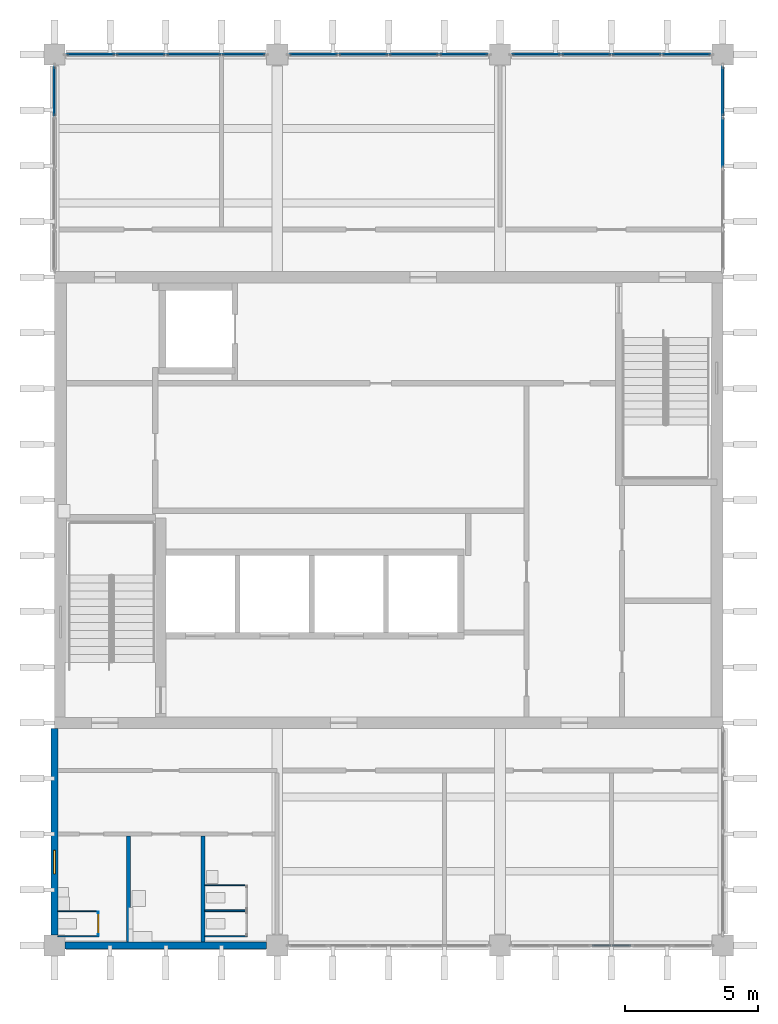
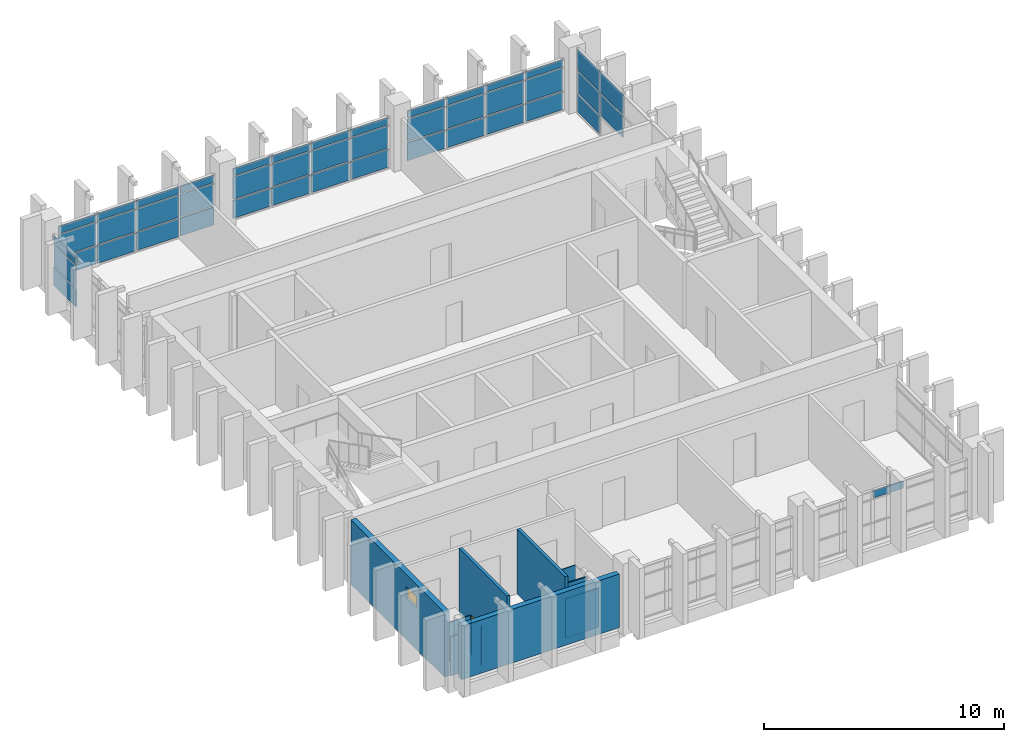
# One storey, part 6 of 11: 46 plates, 11 walls, 1 door, 1 window, 2 openings, 6 elements without a shape of their own.
"""IFC4 building model written with IfcOpenShell, lengths in metres."""

from ifc_helpers import new_model, si_unit, direction, frame, frame_2d, origin, origin_2d, place, context, subcontext, project, spatial, rectangle, extrude, material, layer, layer_set, type_object, element, fill, aggregate, save


model = new_model("IFC4")

# Units and contexts
model_context = context("Model", 3, precision=1e-05, world=origin(), true_north=direction((0.0, 1.0)))
body_context = subcontext(model_context, "Body", "Model", "MODEL_VIEW")
ifc_project = project(units=[si_unit("LENGTHUNIT", "METRE"), si_unit("AREAUNIT", "SQUARE_METRE"), si_unit("VOLUMEUNIT", "CUBIC_METRE"), si_unit("PLANEANGLEUNIT", "RADIAN"), si_unit("MASSUNIT", "GRAM", prefix="KILO")], contexts=[model_context])

# Site, building, storey
site_placement = place(None, origin())
site = spatial("IfcSite", under=ifc_project, at=site_placement, CompositionType="ELEMENT")
building_placement = place(site_placement, origin())
building = spatial("IfcBuilding", under=site, at=building_placement, Name="Rulbaag Community and Learning Centre", CompositionType="ELEMENT")
storey_placement = place(building_placement, frame((0.0, 0.0, 36.0)))
storey = spatial("IfcBuildingStorey", under=building, at=storey_placement, Name="L09", CompositionType="ELEMENT", Elevation=36.0)

# Curtain wall, plates
ifc_material_1 = material(Name="Aluminium", Category="aluminium")
ifc_layer_1 = layer(ifc_material_1, 0.14990234375)
ifc_layer_set_1 = layer_set([ifc_layer_1], Name="CW-S")
curtain_wall_type_1 = type_object("IfcCurtainWallType", Name="CW-S", PredefinedType="USERDEFINED", material=ifc_layer_set_1)
curtain_wall_1_placement = place(storey_placement, origin())
curtain_wall_1 = element("IfcCurtainWall", 1, at=curtain_wall_1_placement, inside=storey, type_object=curtain_wall_type_1, Name="GS-L09-02", ObjectType="UNITISED CURTAIN WALL", PredefinedType="USERDEFINED")
ifc_layer_2 = layer(ifc_material_1, 0.054931640625)
ifc_layer_set_2 = layer_set([ifc_layer_2], Name="CW-S-SPN")
plate_type_1 = type_object("IfcPlateType", Name="CW-S-SPN", PredefinedType="CURTAIN_PANEL", material=ifc_layer_set_2)
plate_1_placement = place(storey_placement, frame((163.419921875, 84.0, 2.22998046875), z_axis=(0.0, 0.0, 1.0), x_axis=(1.0, 0.0, 0.0)))
plate_1 = element("IfcPlate", 2, at=plate_1_placement, type_object=plate_type_1, Name="GS spandrel panel", PredefinedType="CURTAIN_PANEL", context=body_context, shape_type="SweptSolid", body=[
    extrude(rectangle(XDim=0.699951171875, YDim=0.054931640625, at=origin_2d()), origin(), (0.0, 0.0, 1.0), 0.360107421875),
])
plate_2_placement = place(storey_placement, frame((164.179931640625, 84.0, 2.22998046875), z_axis=(0.0, 0.0, 1.0), x_axis=(1.0, 0.0, 0.0)))
plate_2 = element("IfcPlate", 3, at=plate_2_placement, type_object=plate_type_1, Name="GS spandrel panel", PredefinedType="CURTAIN_PANEL", context=body_context, shape_type="SweptSolid", body=[
    extrude(rectangle(XDim=0.699951171875, YDim=0.054931640625, at=origin_2d()), origin(), (0.0, 0.0, 1.0), 0.360107421875),
])
aggregate(curtain_wall_1, [plate_1, plate_2])

ifc_layer_3 = layer(ifc_material_1, 0.14990234375)
ifc_layer_set_3 = layer_set([ifc_layer_3], Name="CW-T")
curtain_wall_type_2 = type_object("IfcCurtainWallType", Name="CW-T", PredefinedType="USERDEFINED", material=ifc_layer_set_3)
curtain_wall_2_placement = place(storey_placement, origin())
curtain_wall_2 = element("IfcCurtainWall", 4, at=curtain_wall_2_placement, inside=storey, type_object=curtain_wall_type_2, Name="GT-L09-01", ObjectType="UNITISED CURTAIN WALL", PredefinedType="USERDEFINED")
ifc_layer_4 = layer(ifc_material_1, 0.06005859375)
ifc_layer_set_4 = layer_set([ifc_layer_4], Name="CW-T-SPN")
plate_type_2 = type_object("IfcPlateType", Name="CW-T-SPN", PredefinedType="CURTAIN_PANEL", material=ifc_layer_set_4)
plate_3_placement = place(storey_placement, frame((144.166259765625, 117.60009765625, 0.06494140625), z_axis=(0.0, 0.0, 1.0), x_axis=(1.0, 0.0, 0.0)))
plate_3 = element("IfcPlate", 5, at=plate_3_placement, type_object=plate_type_2, Name="GT spandrel panel", PredefinedType="CURTAIN_PANEL", context=body_context, shape_type="SweptSolid", body=[
    extrude(rectangle(XDim=1.802490234375, YDim=0.06005859375, at=origin_2d()), origin(), (0.0, 0.0, 1.0), 0.902587890625),
])
plate_4_placement = place(storey_placement, frame((144.166259765625, 117.60009765625, 2.232421875), z_axis=(0.0, 0.0, 1.0), x_axis=(1.0, 0.0, 0.0)))
plate_4 = element("IfcPlate", 6, at=plate_4_placement, type_object=plate_type_2, Name="GT spandrel panel", PredefinedType="CURTAIN_PANEL", context=body_context, shape_type="SweptSolid", body=[
    extrude(rectangle(XDim=1.802490234375, YDim=0.06005859375, at=origin_2d()), origin(), (0.0, 0.0, 1.0), 0.3525390625),
])
plate_5_placement = place(storey_placement, frame((146.050048828125, 117.60009765625, 0.06494140625), z_axis=(0.0, 0.0, 1.0), x_axis=(1.0, 0.0, 0.0)))
plate_5 = element("IfcPlate", 7, at=plate_5_placement, type_object=plate_type_2, Name="GT spandrel panel", PredefinedType="CURTAIN_PANEL", context=body_context, shape_type="SweptSolid", body=[
    extrude(rectangle(XDim=1.8349609375, YDim=0.06005859375, at=origin_2d()), origin(), (0.0, 0.0, 1.0), 0.902587890625),
])
plate_6_placement = place(storey_placement, frame((146.050048828125, 117.60009765625, 2.232421875), z_axis=(0.0, 0.0, 1.0), x_axis=(1.0, 0.0, 0.0)))
plate_6 = element("IfcPlate", 8, at=plate_6_placement, type_object=plate_type_2, Name="GT spandrel panel", PredefinedType="CURTAIN_PANEL", context=body_context, shape_type="SweptSolid", body=[
    extrude(rectangle(XDim=1.8349609375, YDim=0.06005859375, at=origin_2d()), origin(), (0.0, 0.0, 1.0), 0.3525390625),
])
plate_7_placement = place(storey_placement, frame((148.050048828125, 117.60009765625, 0.06494140625), z_axis=(0.0, 0.0, 1.0), x_axis=(1.0, 0.0, 0.0)))
plate_7 = element("IfcPlate", 9, at=plate_7_placement, type_object=plate_type_2, Name="GT spandrel panel", PredefinedType="CURTAIN_PANEL", context=body_context, shape_type="SweptSolid", body=[
    extrude(rectangle(XDim=2.034912109375, YDim=0.06005859375, at=origin_2d()), origin(), (0.0, 0.0, 1.0), 0.902587890625),
])
plate_8_placement = place(storey_placement, frame((148.050048828125, 117.60009765625, 2.232421875), z_axis=(0.0, 0.0, 1.0), x_axis=(1.0, 0.0, 0.0)))
plate_8 = element("IfcPlate", 10, at=plate_8_placement, type_object=plate_type_2, Name="GT spandrel panel", PredefinedType="CURTAIN_PANEL", context=body_context, shape_type="SweptSolid", body=[
    extrude(rectangle(XDim=2.034912109375, YDim=0.06005859375, at=origin_2d()), origin(), (0.0, 0.0, 1.0), 0.3525390625),
])
plate_9_placement = place(storey_placement, frame((149.933837890625, 117.60009765625, 0.06494140625), z_axis=(0.0, 0.0, 1.0), x_axis=(1.0, 0.0, 0.0)))
plate_9 = element("IfcPlate", 11, at=plate_9_placement, type_object=plate_type_2, Name="GT spandrel panel", PredefinedType="CURTAIN_PANEL", context=body_context, shape_type="SweptSolid", body=[
    extrude(rectangle(XDim=1.6025390625, YDim=0.06005859375, at=origin_2d()), origin(), (0.0, 0.0, 1.0), 0.902587890625),
])
plate_10_placement = place(storey_placement, frame((149.933837890625, 117.60009765625, 2.232421875), z_axis=(0.0, 0.0, 1.0), x_axis=(1.0, 0.0, 0.0)))
plate_10 = element("IfcPlate", 12, at=plate_10_placement, type_object=plate_type_2, Name="GT spandrel panel", PredefinedType="CURTAIN_PANEL", context=body_context, shape_type="SweptSolid", body=[
    extrude(rectangle(XDim=1.6025390625, YDim=0.06005859375, at=origin_2d()), origin(), (0.0, 0.0, 1.0), 0.3525390625),
])

curtain_wall_3_placement = place(storey_placement, origin())
curtain_wall_3 = element("IfcCurtainWall", 13, at=curtain_wall_3_placement, inside=storey, type_object=curtain_wall_type_2, Name="GT-L09-02", ObjectType="UNITISED CURTAIN WALL", PredefinedType="USERDEFINED")
plate_11_placement = place(storey_placement, frame((152.566162109375, 117.60009765625, 0.06494140625), z_axis=(0.0, 0.0, 1.0), x_axis=(1.0, 0.0, 0.0)))
plate_11 = element("IfcPlate", 14, at=plate_11_placement, type_object=plate_type_2, Name="GT spandrel panel", PredefinedType="CURTAIN_PANEL", context=body_context, shape_type="SweptSolid", body=[
    extrude(rectangle(XDim=1.802490234375, YDim=0.06005859375, at=origin_2d()), origin(), (0.0, 0.0, 1.0), 0.902587890625),
])
plate_12_placement = place(storey_placement, frame((152.566162109375, 117.60009765625, 2.232421875), z_axis=(0.0, 0.0, 1.0), x_axis=(1.0, 0.0, 0.0)))
plate_12 = element("IfcPlate", 15, at=plate_12_placement, type_object=plate_type_2, Name="GT spandrel panel", PredefinedType="CURTAIN_PANEL", context=body_context, shape_type="SweptSolid", body=[
    extrude(rectangle(XDim=1.802490234375, YDim=0.06005859375, at=origin_2d()), origin(), (0.0, 0.0, 1.0), 0.3525390625),
])
plate_13_placement = place(storey_placement, frame((154.449951171875, 117.60009765625, 0.06494140625), z_axis=(0.0, 0.0, 1.0), x_axis=(1.0, 0.0, 0.0)))
plate_13 = element("IfcPlate", 16, at=plate_13_placement, type_object=plate_type_2, Name="GT spandrel panel", PredefinedType="CURTAIN_PANEL", context=body_context, shape_type="SweptSolid", body=[
    extrude(rectangle(XDim=1.8349609375, YDim=0.06005859375, at=origin_2d()), origin(), (0.0, 0.0, 1.0), 0.902587890625),
])
plate_14_placement = place(storey_placement, frame((154.449951171875, 117.60009765625, 2.232421875), z_axis=(0.0, 0.0, 1.0), x_axis=(1.0, 0.0, 0.0)))
plate_14 = element("IfcPlate", 17, at=plate_14_placement, type_object=plate_type_2, Name="GT spandrel panel", PredefinedType="CURTAIN_PANEL", context=body_context, shape_type="SweptSolid", body=[
    extrude(rectangle(XDim=1.8349609375, YDim=0.06005859375, at=origin_2d()), origin(), (0.0, 0.0, 1.0), 0.3525390625),
])
plate_15_placement = place(storey_placement, frame((156.35009765625, 117.60009765625, 0.06494140625), z_axis=(0.0, 0.0, 1.0), x_axis=(1.0, 0.0, 0.0)))
plate_15 = element("IfcPlate", 18, at=plate_15_placement, type_object=plate_type_2, Name="GT spandrel panel", PredefinedType="CURTAIN_PANEL", context=body_context, shape_type="SweptSolid", body=[
    extrude(rectangle(XDim=1.8349609375, YDim=0.06005859375, at=origin_2d()), origin(), (0.0, 0.0, 1.0), 0.902587890625),
])
plate_16_placement = place(storey_placement, frame((156.35009765625, 117.60009765625, 2.232421875), z_axis=(0.0, 0.0, 1.0), x_axis=(1.0, 0.0, 0.0)))
plate_16 = element("IfcPlate", 19, at=plate_16_placement, type_object=plate_type_2, Name="GT spandrel panel", PredefinedType="CURTAIN_PANEL", context=body_context, shape_type="SweptSolid", body=[
    extrude(rectangle(XDim=1.8349609375, YDim=0.06005859375, at=origin_2d()), origin(), (0.0, 0.0, 1.0), 0.3525390625),
])
plate_17_placement = place(storey_placement, frame((158.233642578125, 117.60009765625, 0.06494140625), z_axis=(0.0, 0.0, 1.0), x_axis=(1.0, 0.0, 0.0)))
plate_17 = element("IfcPlate", 20, at=plate_17_placement, type_object=plate_type_2, Name="GT spandrel panel", PredefinedType="CURTAIN_PANEL", context=body_context, shape_type="SweptSolid", body=[
    extrude(rectangle(XDim=1.802490234375, YDim=0.06005859375, at=origin_2d()), origin(), (0.0, 0.0, 1.0), 0.902587890625),
])
plate_18_placement = place(storey_placement, frame((158.233642578125, 117.60009765625, 2.232421875), z_axis=(0.0, 0.0, 1.0), x_axis=(1.0, 0.0, 0.0)))
plate_18 = element("IfcPlate", 21, at=plate_18_placement, type_object=plate_type_2, Name="GT spandrel panel", PredefinedType="CURTAIN_PANEL", context=body_context, shape_type="SweptSolid", body=[
    extrude(rectangle(XDim=1.802490234375, YDim=0.06005859375, at=origin_2d()), origin(), (0.0, 0.0, 1.0), 0.3525390625),
])

curtain_wall_4_placement = place(storey_placement, origin())
curtain_wall_4 = element("IfcCurtainWall", 22, at=curtain_wall_4_placement, inside=storey, type_object=curtain_wall_type_2, Name="GT-L09-03", ObjectType="UNITISED CURTAIN WALL", PredefinedType="USERDEFINED")
plate_19_placement = place(storey_placement, frame((160.96630859375, 117.60009765625, 0.06494140625), z_axis=(0.0, 0.0, 1.0), x_axis=(1.0, 0.0, 0.0)))
plate_19 = element("IfcPlate", 23, at=plate_19_placement, type_object=plate_type_2, Name="GT spandrel panel", PredefinedType="CURTAIN_PANEL", context=body_context, shape_type="SweptSolid", body=[
    extrude(rectangle(XDim=1.802490234375, YDim=0.06005859375, at=origin_2d()), origin(), (0.0, 0.0, 1.0), 0.902587890625),
])
plate_20_placement = place(storey_placement, frame((160.96630859375, 117.60009765625, 2.232421875), z_axis=(0.0, 0.0, 1.0), x_axis=(1.0, 0.0, 0.0)))
plate_20 = element("IfcPlate", 24, at=plate_20_placement, type_object=plate_type_2, Name="GT spandrel panel", PredefinedType="CURTAIN_PANEL", context=body_context, shape_type="SweptSolid", body=[
    extrude(rectangle(XDim=1.802490234375, YDim=0.06005859375, at=origin_2d()), origin(), (0.0, 0.0, 1.0), 0.3525390625),
])
plate_21_placement = place(storey_placement, frame((162.85009765625, 117.60009765625, 0.06494140625), z_axis=(0.0, 0.0, 1.0), x_axis=(1.0, 0.0, 0.0)))
plate_21 = element("IfcPlate", 25, at=plate_21_placement, type_object=plate_type_2, Name="GT spandrel panel", PredefinedType="CURTAIN_PANEL", context=body_context, shape_type="SweptSolid", body=[
    extrude(rectangle(XDim=1.8349609375, YDim=0.06005859375, at=origin_2d()), origin(), (0.0, 0.0, 1.0), 0.902587890625),
])
plate_22_placement = place(storey_placement, frame((162.85009765625, 117.60009765625, 2.232421875), z_axis=(0.0, 0.0, 1.0), x_axis=(1.0, 0.0, 0.0)))
plate_22 = element("IfcPlate", 26, at=plate_22_placement, type_object=plate_type_2, Name="GT spandrel panel", PredefinedType="CURTAIN_PANEL", context=body_context, shape_type="SweptSolid", body=[
    extrude(rectangle(XDim=1.8349609375, YDim=0.06005859375, at=origin_2d()), origin(), (0.0, 0.0, 1.0), 0.3525390625),
])
plate_23_placement = place(storey_placement, frame((164.75, 117.60009765625, 0.06494140625), z_axis=(0.0, 0.0, 1.0), x_axis=(1.0, 0.0, 0.0)))
plate_23 = element("IfcPlate", 27, at=plate_23_placement, type_object=plate_type_2, Name="GT spandrel panel", PredefinedType="CURTAIN_PANEL", context=body_context, shape_type="SweptSolid", body=[
    extrude(rectangle(XDim=1.8349609375, YDim=0.06005859375, at=origin_2d()), origin(), (0.0, 0.0, 1.0), 0.902587890625),
])
plate_24_placement = place(storey_placement, frame((164.75, 117.60009765625, 2.232421875), z_axis=(0.0, 0.0, 1.0), x_axis=(1.0, 0.0, 0.0)))
plate_24 = element("IfcPlate", 28, at=plate_24_placement, type_object=plate_type_2, Name="GT spandrel panel", PredefinedType="CURTAIN_PANEL", context=body_context, shape_type="SweptSolid", body=[
    extrude(rectangle(XDim=1.8349609375, YDim=0.06005859375, at=origin_2d()), origin(), (0.0, 0.0, 1.0), 0.3525390625),
])
plate_25_placement = place(storey_placement, frame((166.6337890625, 117.60009765625, 0.06494140625), z_axis=(0.0, 0.0, 1.0), x_axis=(1.0, 0.0, 0.0)))
plate_25 = element("IfcPlate", 29, at=plate_25_placement, type_object=plate_type_2, Name="GT spandrel panel", PredefinedType="CURTAIN_PANEL", context=body_context, shape_type="SweptSolid", body=[
    extrude(rectangle(XDim=1.802490234375, YDim=0.06005859375, at=origin_2d()), origin(), (0.0, 0.0, 1.0), 0.902587890625),
])
plate_26_placement = place(storey_placement, frame((166.6337890625, 117.60009765625, 2.232421875), z_axis=(0.0, 0.0, 1.0), x_axis=(1.0, 0.0, 0.0)))
plate_26 = element("IfcPlate", 30, at=plate_26_placement, type_object=plate_type_2, Name="GT spandrel panel", PredefinedType="CURTAIN_PANEL", context=body_context, shape_type="SweptSolid", body=[
    extrude(rectangle(XDim=1.802490234375, YDim=0.06005859375, at=origin_2d()), origin(), (0.0, 0.0, 1.0), 0.3525390625),
])

curtain_wall_5_placement = place(storey_placement, origin())
curtain_wall_5 = element("IfcCurtainWall", 31, at=curtain_wall_5_placement, inside=storey, type_object=curtain_wall_type_2, Name="GT-L09-04", ObjectType="UNITISED CURTAIN WALL", PredefinedType="USERDEFINED")
plate_27_placement = place(storey_placement, frame((142.800048828125, 116.2119140625, 0.06494140625), z_axis=(0.0, 0.0, 1.0), x_axis=(0.0, 1.0, 0.0)))
plate_27 = element("IfcPlate", 32, at=plate_27_placement, type_object=plate_type_2, Name="GT spandrel panel", PredefinedType="CURTAIN_PANEL", context=body_context, shape_type="SweptSolid", body=[
    extrude(rectangle(XDim=1.84619140625, YDim=0.06005859375, at=origin_2d()), origin(), (0.0, 0.0, 1.0), 0.902587890625),
])
plate_28_placement = place(storey_placement, frame((142.800048828125, 116.2119140625, 2.232421875), z_axis=(0.0, 0.0, 1.0), x_axis=(0.0, 1.0, 0.0)))
plate_28 = element("IfcPlate", 33, at=plate_28_placement, type_object=plate_type_2, Name="GT spandrel panel", PredefinedType="CURTAIN_PANEL", context=body_context, shape_type="SweptSolid", body=[
    extrude(rectangle(XDim=1.84619140625, YDim=0.06005859375, at=origin_2d()), origin(), (0.0, 0.0, 1.0), 0.3525390625),
])

curtain_wall_6_placement = place(storey_placement, origin())
curtain_wall_6 = element("IfcCurtainWall", 34, at=curtain_wall_6_placement, inside=storey, type_object=curtain_wall_type_2, Name="GT-L09-06", ObjectType="UNITISED CURTAIN WALL", PredefinedType="USERDEFINED")
plate_29_placement = place(storey_placement, frame((168.0, 114.284423828125, 2.232421875), z_axis=(0.0, 0.0, 1.0), x_axis=(0.0, 1.0, 0.0)))
plate_29 = element("IfcPlate", 35, at=plate_29_placement, type_object=plate_type_2, Name="GT spandrel panel", PredefinedType="CURTAIN_PANEL", context=body_context, shape_type="SweptSolid", body=[
    extrude(rectangle(XDim=1.878662109375, YDim=0.06005859375, at=origin_2d()), origin(), (0.0, 0.0, 1.0), 1.00244140625),
])
plate_30_placement = place(storey_placement, frame((168.0, 116.2119140625, 0.06494140625), z_axis=(0.0, 0.0, 1.0), x_axis=(0.0, 1.0, 0.0)))
plate_30 = element("IfcPlate", 36, at=plate_30_placement, type_object=plate_type_2, Name="GT spandrel panel", PredefinedType="CURTAIN_PANEL", context=body_context, shape_type="SweptSolid", body=[
    extrude(rectangle(XDim=1.84619140625, YDim=0.06005859375, at=origin_2d()), origin(), (0.0, 0.0, 1.0), 0.902587890625),
])
plate_31_placement = place(storey_placement, frame((168.0, 116.2119140625, 2.232421875), z_axis=(0.0, 0.0, 1.0), x_axis=(0.0, 1.0, 0.0)))
plate_31 = element("IfcPlate", 37, at=plate_31_placement, type_object=plate_type_2, Name="GT spandrel panel", PredefinedType="CURTAIN_PANEL", context=body_context, shape_type="SweptSolid", body=[
    extrude(rectangle(XDim=1.84619140625, YDim=0.06005859375, at=origin_2d()), origin(), (0.0, 0.0, 1.0), 1.00244140625),
])

# Plate
ifc_material_2 = material(Name="Glass", Category="glass")
ifc_layer_5 = layer(ifc_material_2, 0.028076171875)
ifc_layer_set_5 = layer_set([ifc_layer_5], Name="CW-T-VIS")
plate_type_3 = type_object("IfcPlateType", Name="CW-T-VIS", PredefinedType="CURTAIN_PANEL", material=ifc_layer_set_5)
plate_32_placement = place(storey_placement, frame((144.166259765625, 117.60009765625, 1.03271484375), z_axis=(0.0, 0.0, 1.0), x_axis=(1.0, 0.0, 0.0)))
plate_32 = element("IfcPlate", 38, at=plate_32_placement, type_object=plate_type_3, Name="GT vision panel", PredefinedType="CURTAIN_PANEL", context=body_context, shape_type="SweptSolid", body=[
    extrude(rectangle(XDim=1.802490234375, YDim=0.028076171875, at=origin_2d()), origin(), (0.0, 0.0, 1.0), 1.135009765625),
])

plate_33_placement = place(storey_placement, frame((146.050048828125, 117.60009765625, 1.03271484375), z_axis=(0.0, 0.0, 1.0), x_axis=(1.0, 0.0, 0.0)))
plate_33 = element("IfcPlate", 39, at=plate_33_placement, type_object=plate_type_3, Name="GT vision panel", PredefinedType="CURTAIN_PANEL", context=body_context, shape_type="SweptSolid", body=[
    extrude(rectangle(XDim=1.8349609375, YDim=0.028076171875, at=origin_2d()), origin(), (0.0, 0.0, 1.0), 1.135009765625),
])

plate_34_placement = place(storey_placement, frame((148.050048828125, 117.60009765625, 1.03271484375), z_axis=(0.0, 0.0, 1.0), x_axis=(1.0, 0.0, 0.0)))
plate_34 = element("IfcPlate", 40, at=plate_34_placement, type_object=plate_type_3, Name="GT vision panel", PredefinedType="CURTAIN_PANEL", context=body_context, shape_type="SweptSolid", body=[
    extrude(rectangle(XDim=2.034912109375, YDim=0.028076171875, at=origin_2d()), origin(), (0.0, 0.0, 1.0), 1.135009765625),
])

plate_35_placement = place(storey_placement, frame((149.933837890625, 117.60009765625, 1.03271484375), z_axis=(0.0, 0.0, 1.0), x_axis=(1.0, 0.0, 0.0)))
plate_35 = element("IfcPlate", 41, at=plate_35_placement, type_object=plate_type_3, Name="GT vision panel", PredefinedType="CURTAIN_PANEL", context=body_context, shape_type="SweptSolid", body=[
    extrude(rectangle(XDim=1.6025390625, YDim=0.028076171875, at=origin_2d()), origin(), (0.0, 0.0, 1.0), 1.135009765625),
])

aggregate(curtain_wall_2, [plate_3, plate_32, plate_4, plate_5, plate_33, plate_6, plate_7, plate_34, plate_8, plate_9, plate_35, plate_10])

plate_36_placement = place(storey_placement, frame((152.566162109375, 117.60009765625, 1.03271484375), z_axis=(0.0, 0.0, 1.0), x_axis=(1.0, 0.0, 0.0)))
plate_36 = element("IfcPlate", 42, at=plate_36_placement, type_object=plate_type_3, Name="GT vision panel", PredefinedType="CURTAIN_PANEL", context=body_context, shape_type="SweptSolid", body=[
    extrude(rectangle(XDim=1.802490234375, YDim=0.028076171875, at=origin_2d()), origin(), (0.0, 0.0, 1.0), 1.135009765625),
])

plate_37_placement = place(storey_placement, frame((154.449951171875, 117.60009765625, 1.03271484375), z_axis=(0.0, 0.0, 1.0), x_axis=(1.0, 0.0, 0.0)))
plate_37 = element("IfcPlate", 43, at=plate_37_placement, type_object=plate_type_3, Name="GT vision panel", PredefinedType="CURTAIN_PANEL", context=body_context, shape_type="SweptSolid", body=[
    extrude(rectangle(XDim=1.8349609375, YDim=0.028076171875, at=origin_2d()), origin(), (0.0, 0.0, 1.0), 1.135009765625),
])

plate_38_placement = place(storey_placement, frame((156.35009765625, 117.60009765625, 1.03271484375), z_axis=(0.0, 0.0, 1.0), x_axis=(1.0, 0.0, 0.0)))
plate_38 = element("IfcPlate", 44, at=plate_38_placement, type_object=plate_type_3, Name="GT vision panel", PredefinedType="CURTAIN_PANEL", context=body_context, shape_type="SweptSolid", body=[
    extrude(rectangle(XDim=1.8349609375, YDim=0.028076171875, at=origin_2d()), origin(), (0.0, 0.0, 1.0), 1.135009765625),
])

plate_39_placement = place(storey_placement, frame((158.233642578125, 117.60009765625, 1.03271484375), z_axis=(0.0, 0.0, 1.0), x_axis=(1.0, 0.0, 0.0)))
plate_39 = element("IfcPlate", 45, at=plate_39_placement, type_object=plate_type_3, Name="GT vision panel", PredefinedType="CURTAIN_PANEL", context=body_context, shape_type="SweptSolid", body=[
    extrude(rectangle(XDim=1.802490234375, YDim=0.028076171875, at=origin_2d()), origin(), (0.0, 0.0, 1.0), 1.135009765625),
])

aggregate(curtain_wall_3, [plate_11, plate_36, plate_12, plate_13, plate_37, plate_14, plate_15, plate_38, plate_16, plate_17, plate_39, plate_18])

plate_40_placement = place(storey_placement, frame((160.96630859375, 117.60009765625, 1.03271484375), z_axis=(0.0, 0.0, 1.0), x_axis=(1.0, 0.0, 0.0)))
plate_40 = element("IfcPlate", 46, at=plate_40_placement, type_object=plate_type_3, Name="GT vision panel", PredefinedType="CURTAIN_PANEL", context=body_context, shape_type="SweptSolid", body=[
    extrude(rectangle(XDim=1.802490234375, YDim=0.028076171875, at=origin_2d()), origin(), (0.0, 0.0, 1.0), 1.135009765625),
])

plate_41_placement = place(storey_placement, frame((162.85009765625, 117.60009765625, 1.03271484375), z_axis=(0.0, 0.0, 1.0), x_axis=(1.0, 0.0, 0.0)))
plate_41 = element("IfcPlate", 47, at=plate_41_placement, type_object=plate_type_3, Name="GT vision panel", PredefinedType="CURTAIN_PANEL", context=body_context, shape_type="SweptSolid", body=[
    extrude(rectangle(XDim=1.8349609375, YDim=0.028076171875, at=origin_2d()), origin(), (0.0, 0.0, 1.0), 1.135009765625),
])

plate_42_placement = place(storey_placement, frame((164.75, 117.60009765625, 1.03271484375), z_axis=(0.0, 0.0, 1.0), x_axis=(1.0, 0.0, 0.0)))
plate_42 = element("IfcPlate", 48, at=plate_42_placement, type_object=plate_type_3, Name="GT vision panel", PredefinedType="CURTAIN_PANEL", context=body_context, shape_type="SweptSolid", body=[
    extrude(rectangle(XDim=1.8349609375, YDim=0.028076171875, at=origin_2d()), origin(), (0.0, 0.0, 1.0), 1.135009765625),
])

plate_43_placement = place(storey_placement, frame((166.6337890625, 117.60009765625, 1.03271484375), z_axis=(0.0, 0.0, 1.0), x_axis=(1.0, 0.0, 0.0)))
plate_43 = element("IfcPlate", 49, at=plate_43_placement, type_object=plate_type_3, Name="GT vision panel", PredefinedType="CURTAIN_PANEL", context=body_context, shape_type="SweptSolid", body=[
    extrude(rectangle(XDim=1.802490234375, YDim=0.028076171875, at=origin_2d()), origin(), (0.0, 0.0, 1.0), 1.135009765625),
])

aggregate(curtain_wall_4, [plate_19, plate_40, plate_20, plate_21, plate_41, plate_22, plate_23, plate_42, plate_24, plate_25, plate_43, plate_26])

plate_44_placement = place(storey_placement, frame((142.800048828125, 116.2119140625, 1.03271484375), z_axis=(0.0, 0.0, 1.0), x_axis=(0.0, 1.0, 0.0)))
plate_44 = element("IfcPlate", 50, at=plate_44_placement, type_object=plate_type_3, Name="GT vision panel", PredefinedType="CURTAIN_PANEL", context=body_context, shape_type="SweptSolid", body=[
    extrude(rectangle(XDim=1.84619140625, YDim=0.028076171875, at=origin_2d()), origin(), (0.0, 0.0, 1.0), 1.135009765625),
])

aggregate(curtain_wall_5, [plate_27, plate_44, plate_28])

plate_45_placement = place(storey_placement, frame((168.0, 114.284423828125, 1.03271484375), z_axis=(0.0, 0.0, 1.0), x_axis=(0.0, 1.0, 0.0)))
plate_45 = element("IfcPlate", 51, at=plate_45_placement, type_object=plate_type_3, Name="GT vision panel", PredefinedType="CURTAIN_PANEL", context=body_context, shape_type="SweptSolid", body=[
    extrude(rectangle(XDim=1.878662109375, YDim=0.028076171875, at=origin_2d()), origin(), (0.0, 0.0, 1.0), 1.135009765625),
])

plate_46_placement = place(storey_placement, frame((168.0, 116.2119140625, 1.03271484375), z_axis=(0.0, 0.0, 1.0), x_axis=(0.0, 1.0, 0.0)))
plate_46 = element("IfcPlate", 52, at=plate_46_placement, type_object=plate_type_3, Name="GT vision panel", PredefinedType="CURTAIN_PANEL", context=body_context, shape_type="SweptSolid", body=[
    extrude(rectangle(XDim=1.84619140625, YDim=0.028076171875, at=origin_2d()), origin(), (0.0, 0.0, 1.0), 1.135009765625),
])

aggregate(curtain_wall_6, [plate_45, plate_29, plate_30, plate_46, plate_31])

# Walls
ifc_material_3 = material(Name="High pressure laminate", Category="wood")
ifc_layer_6 = layer(ifc_material_3, 0.0400390625)
ifc_layer_set_6 = layer_set([ifc_layer_6], Name="CP-40")
wall_type_1 = type_object("IfcWallType", Name="CP-40", PredefinedType="PARTITIONING", material=ifc_layer_set_6)
wall_1_placement = place(storey_placement, frame((142.929931640625, 84.35009765625, 0.0), z_axis=(0.0, 0.0, 1.0), x_axis=(1.0, 0.0, 0.0)))
element("IfcWall", 53, at=wall_1_placement, inside=storey, type_object=wall_type_1, Name="Cubicle partition", PredefinedType="PARTITIONING", context=body_context, shape_type="SweptSolid", body=[
    extrude(rectangle(XDim=1.5400390625, YDim=0.0400390625, at=frame_2d((0.77001953125, 0.0))), origin(), (0.0, 0.0, 1.0), 2.0),
])
wall_2_placement = place(storey_placement, frame((142.925048828125, 85.2900390625, 0.0), z_axis=(0.0, 0.0, 1.0), x_axis=(1.0, 0.0, 0.0)))
element("IfcWall", 54, at=wall_2_placement, inside=storey, type_object=wall_type_1, Name="Cubicle partition", PredefinedType="PARTITIONING", context=body_context, shape_type="SweptSolid", body=[
    extrude(rectangle(XDim=1.544921875, YDim=0.0400390625, at=frame_2d((0.7724609375, 0.0))), origin(), (0.0, 0.0, 1.0), 2.0),
])

# Wall, opening, door
wall_3_placement = place(storey_placement, frame((144.449951171875, 84.3701171875, 0.0), z_axis=(0.0, 0.0, 1.0), x_axis=(0.0, 1.0, 0.0)))
wall_3 = element("IfcWall", 55, at=wall_3_placement, inside=storey, type_object=wall_type_1, Name="Cubicle partition", PredefinedType="PARTITIONING", context=body_context, shape_type="SweptSolid", body=[
    extrude(rectangle(XDim=0.89990234375, YDim=0.0400390625, at=frame_2d((0.449951171875, 0.0))), origin(), (0.0, 0.0, 1.0), 2.0),
])
opening_1_placement = place(wall_3_placement, frame((0.050048828125, 0.0, 0.0)))
opening_1 = element("IfcOpeningElement", 56, at=opening_1_placement, cuts=wall_3, Name="Opening L09-D002", PredefinedType="OPENING", context=body_context, shape_type="SweptSolid", body=[
    extrude(rectangle(XDim=0.800048828125, YDim=2.0, at=frame_2d((0.39990234375, 1.0))), frame((0.0, 0.030029296875, 0.0), z_axis=(0.0, -1.0, 0.0), x_axis=(1.0, 0.0, 0.0)), (0.0, 0.0, 1.0), 0.06005859375),
])
door_type = type_object("IfcDoorType", Name="DC-80", OperationType="SINGLE_SWING_LEFT", PredefinedType="DOOR", material=ifc_material_3)
door_placement = place(opening_1_placement, origin())
door = element("IfcDoor", 57, at=door_placement, inside=storey, type_object=door_type, Name="Cubicle door", OperationType="SINGLE_SWING_LEFT", OverallHeight=2.0, OverallWidth=0.800048828125, PredefinedType="DOOR", context=body_context, shape_type="SweptSolid", body=[
    extrude(rectangle(XDim=0.800048828125, YDim=2.0, at=frame_2d((0.39990234375, 1.0))), frame((0.0, 0.019775390625, 0.0), z_axis=(0.0, -1.0, 0.0), x_axis=(1.0, 0.0, 0.0)), (0.0, 0.0, 1.0), 0.03955078125),
])
fill(opening_1, door)

# Walls
for number, where, z_axis, x_axis, name in (
    (58, (148.47509765625, 84.35009765625, 0.0), (0.0, 0.0, 1.0), (1.0, 0.0, 0.0), "Cubicle partition"),
    (59, (148.47509765625, 85.2900390625, 0.0), (0.0, 0.0, 1.0), (1.0, 0.0, 0.0), "Cubicle partition"),
    (60, (148.47509765625, 85.330078125, 0.0), (0.0, 0.0, 1.0), (1.0, 0.0, 0.0), "Cubicle partition"),
    (61, (148.47509765625, 86.27001953125, 0.0), (0.0, 0.0, 1.0), (1.0, 0.0, 0.0), "Cubicle partition"),
):
    element("IfcWall", number, at=place(storey_placement, frame(where, z_axis=z_axis, x_axis=x_axis)), inside=storey, type_object=wall_type_1, Name=name, PredefinedType="PARTITIONING", context=body_context, shape_type="SweptSolid", body=[
        extrude(rectangle(XDim=1.594970703125, YDim=0.0400390625, at=frame_2d((0.79736328125, 0.0))), origin(), (0.0, 0.0, 1.0), 2.0),
    ])
ifc_material_4 = material(Name="Concrete M40", Category="concrete")
ifc_layer_7 = layer(ifc_material_4, 0.25)
ifc_layer_set_7 = layer_set([ifc_layer_7], Name="EW-CONC250")
wall_type_2 = type_object("IfcWallType", Name="EW-CONC250", PredefinedType="STANDARD", material=ifc_layer_set_7)
wall_4_placement = place(storey_placement, frame((143.199951171875, 84.0, 0.0), z_axis=(0.0, 0.0, 1.0), x_axis=(1.0, 0.0, 0.0)))
element("IfcWall", 62, at=wall_4_placement, inside=storey, type_object=wall_type_2, Name="Board-marked concrete cladding wall BS", PredefinedType="STANDARD", context=body_context, shape_type="SweptSolid", body=[
    extrude(rectangle(XDim=7.60009765625, YDim=0.25, at=frame_2d((3.800048828125, 0.0))), origin(), (0.0, 0.0, 1.0), 2.72509765625),
])

# Wall, opening, window
wall_5_placement = place(storey_placement, frame((142.800048828125, 84.39990234375, 0.0), z_axis=(0.0, 0.0, 1.0), x_axis=(0.0, 1.0, 0.0)))
wall_5 = element("IfcWall", 63, at=wall_5_placement, inside=storey, type_object=wall_type_2, Name="Board-marked concrete cladding wall BW", PredefinedType="STANDARD", context=body_context, shape_type="SweptSolid", body=[
    extrude(rectangle(XDim=7.775146484375, YDim=0.25, at=frame_2d((3.8876953125, 0.0))), origin(), (0.0, 0.0, 1.0), 3.300048828125),
])
opening_2_placement = place(wall_5_placement, frame((2.300048828125, 0.0, 2.10009765625)))
opening_2 = element("IfcOpeningElement", 64, at=opening_2_placement, cuts=wall_5, Name="Opening WN5", PredefinedType="OPENING", context=body_context, shape_type="SweptSolid", body=[
    extrude(rectangle(XDim=0.89990234375, YDim=0.60009765625, at=frame_2d((0.449951171875, 0.300048828125))), frame((0.0, 0.135009765625, 0.0), z_axis=(0.0, -1.0, 0.0), x_axis=(1.0, 0.0, 0.0)), (0.0, 0.0, 1.0), 0.27001953125),
])
window_type = type_object("IfcWindowType", Name="WK-09", PartitioningType="SINGLE_PANEL", PredefinedType="WINDOW", material=ifc_material_1)
window_placement = place(opening_2_placement, origin())
window = element("IfcWindow", 65, at=window_placement, inside=storey, type_object=window_type, Name="Window WN5", OverallHeight=0.60009765625, OverallWidth=0.89990234375, PartitioningType="SINGLE_PANEL", PredefinedType="WINDOW", context=body_context, shape_type="SweptSolid", body=[
    extrude(rectangle(XDim=0.89990234375, YDim=0.60009765625, at=frame_2d((0.449951171875, 0.300048828125))), frame((0.0, 0.030029296875, 0.0), z_axis=(0.0, -1.0, 0.0), x_axis=(1.0, 0.0, 0.0)), (0.0, 0.0, 1.0), 0.06005859375),
])
fill(opening_2, window)

# Walls
ifc_material_5 = material(Name="Concrete blockwork", Category="masonry")
ifc_layer_8 = layer(ifc_material_5, 0.14990234375)
ifc_layer_set_8 = layer_set([ifc_layer_8], Name="IP-150 PARTITION 150")
wall_type_3 = type_object("IfcWallType", Name="IP-150 PARTITION 150", PredefinedType="PARTITIONING", material=ifc_layer_set_8)
for number, where, z_axis, x_axis, name in (
    (66, (145.60009765625, 84.125, 0.0), (0.0, 0.0, 1.0), (0.0, 1.0, 0.0), "Partition L09 11"),
    (67, (148.39990234375, 84.125, 0.0), (0.0, 0.0, 1.0), (0.0, 1.0, 0.0), "Partition L09 14"),
):
    element("IfcWall", number, at=place(storey_placement, frame(where, z_axis=z_axis, x_axis=x_axis)), inside=storey, type_object=wall_type_3, Name=name, PredefinedType="PARTITIONING", context=body_context, shape_type="SweptSolid", body=[
        extrude(rectangle(XDim=4.0, YDim=0.14990234375, at=frame_2d((2.0, 0.0))), origin(), (0.0, 0.0, 1.0), 3.300048828125),
    ])

save(model, "model.ifc")
